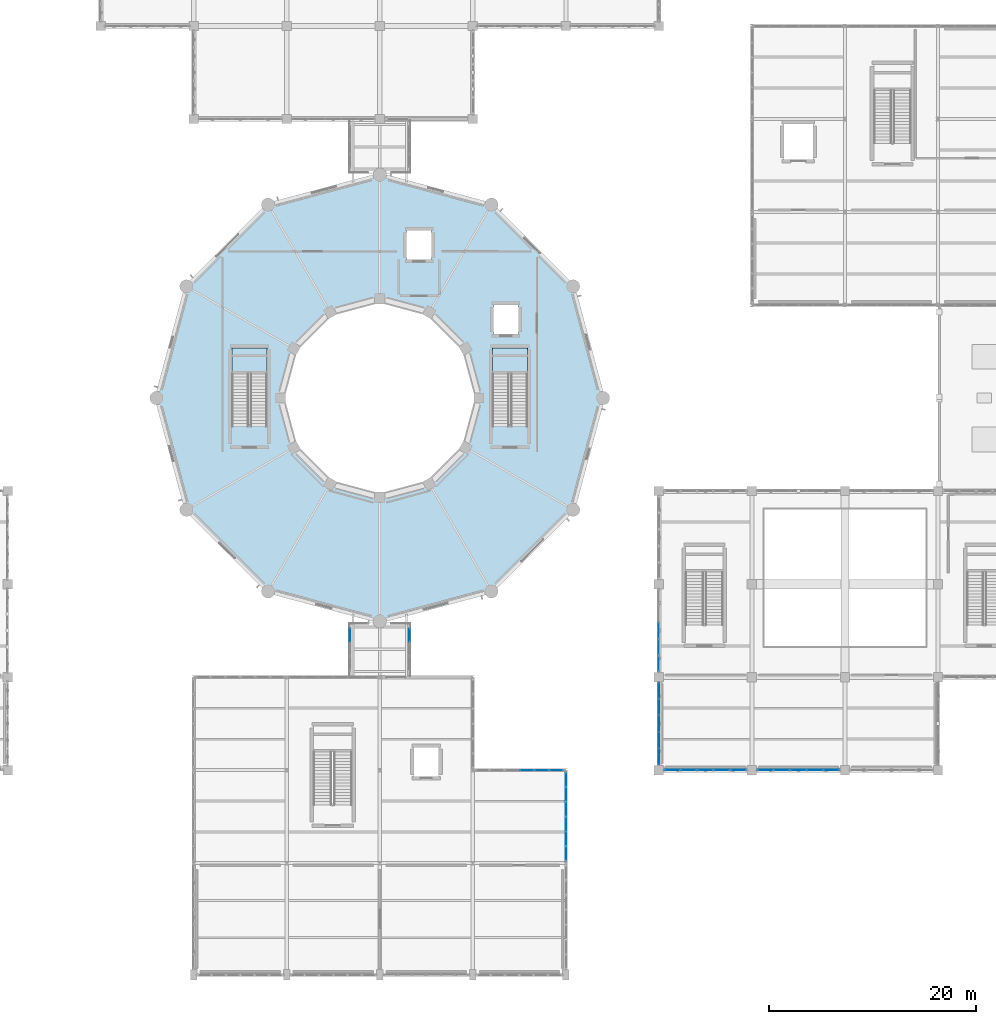
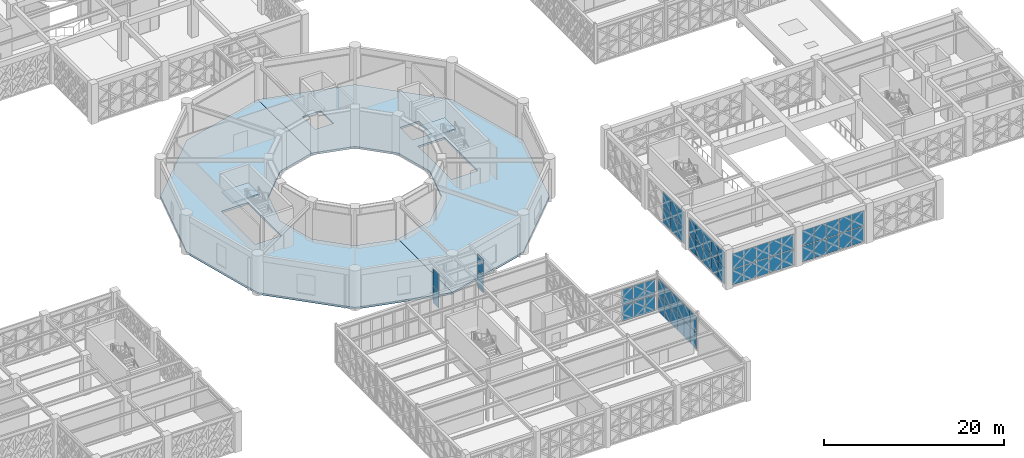
# One storey, part 122 of 155: 58 plates, 4 slabs, 10 elements without a shape of their own.
"""IFC4 building model written with IfcOpenShell, lengths in metres."""

from ifc_helpers import new_model, si_unit, direction, frame, origin, origin_2d, place, context, subcontext, project, spatial, polyline, rectangle, outline, extrude, material, layer, layer_set, type_object, element, aggregate, save


model = new_model("IFC4")

# Units and contexts
model_context = context("Model", 3, precision=1e-05, world=origin(), true_north=direction((0.0, 1.0)))
body_context = subcontext(model_context, "Body", "Model", "MODEL_VIEW")
ifc_project = project(units=[si_unit("LENGTHUNIT", "METRE"), si_unit("AREAUNIT", "SQUARE_METRE"), si_unit("VOLUMEUNIT", "CUBIC_METRE"), si_unit("PLANEANGLEUNIT", "RADIAN"), si_unit("MASSUNIT", "GRAM", prefix="KILO")], contexts=[model_context])

# Site, building, storey
site_placement = place(None, origin())
site = spatial("IfcSite", under=ifc_project, at=site_placement, CompositionType="ELEMENT")
building_placement = place(site_placement, origin())
building = spatial("IfcBuilding", under=site, at=building_placement, Name="Haizhuo Lancet Aquarium", CompositionType="ELEMENT")
storey_placement = place(building_placement, frame((0.0, 0.0, 10.800048828125)))
storey = spatial("IfcBuildingStorey", under=building, at=storey_placement, Name="L02", CompositionType="ELEMENT", Elevation=10.800048828125)

# Curtain wall, plates
ifc_material_1 = material(Name="Aluminium 6063-T6", Category="aluminium")
curtain_wall_type_1 = type_object("IfcCurtainWallType", Name="CWO-8010x4460", PredefinedType="NOTDEFINED", material=ifc_material_1)
curtain_wall_1_placement = place(storey_placement, origin())
curtain_wall_1 = element("IfcCurtainWall", 1, at=curtain_wall_1_placement, inside=storey, type_object=curtain_wall_type_1, Name="L02 curtain wall CW-V3-L02-065", PredefinedType="NOTDEFINED")
ifc_material_2 = material(Name="Laminated Low-E Glass", Category="glass")
ifc_layer_1 = layer(ifc_material_2, 0.028076171875)
ifc_layer_set_1 = layer_set([ifc_layer_1], Name="Laminated Low-E Glass")
plate_type_1 = type_object("IfcPlateType", Name="CW-PNL-1", PredefinedType="CURTAIN_PANEL", material=ifc_layer_set_1)
plate_1_placement = place(storey_placement, frame((27.0, -25.68505859375, 0.07568359375), z_axis=(0.0, 0.0, 1.0), x_axis=(0.0, 1.0, 0.0)))
plate_1 = element("IfcPlate", 2, at=plate_1_placement, type_object=plate_type_1, Name="CWO-80x44 panel 1.1", PredefinedType="CURTAIN_PANEL", context=body_context, shape_type="SweptSolid", body=[
    extrude(rectangle(XDim=1.489013671875, YDim=0.028076171875, at=origin_2d()), origin(), (0.0, 0.0, 1.0), 2.116943359375),
])
plate_2_placement = place(storey_placement, frame((27.0, -25.68505859375, 2.26708984375), z_axis=(0.0, 0.0, 1.0), x_axis=(0.0, 1.0, 0.0)))
plate_2 = element("IfcPlate", 3, at=plate_2_placement, type_object=plate_type_1, Name="CWO-80x44 panel 1.2", PredefinedType="CURTAIN_PANEL", context=body_context, shape_type="SweptSolid", body=[
    extrude(rectangle(XDim=1.489013671875, YDim=0.028076171875, at=origin_2d()), origin(), (0.0, 0.0, 1.0), 2.117919921875),
])
plate_3_placement = place(storey_placement, frame((27.0, -24.10205078125, 0.07568359375), z_axis=(0.0, 0.0, 1.0), x_axis=(0.0, 1.0, 0.0)))
plate_3 = element("IfcPlate", 4, at=plate_3_placement, type_object=plate_type_1, Name="CWO-80x44 panel 2.1", PredefinedType="CURTAIN_PANEL", context=body_context, shape_type="SweptSolid", body=[
    extrude(rectangle(XDim=1.527099609375, YDim=0.028076171875, at=origin_2d()), origin(), (0.0, 0.0, 1.0), 2.116943359375),
])
plate_4_placement = place(storey_placement, frame((27.0, -24.10205078125, 2.26708984375), z_axis=(0.0, 0.0, 1.0), x_axis=(0.0, 1.0, 0.0)))
plate_4 = element("IfcPlate", 5, at=plate_4_placement, type_object=plate_type_1, Name="CWO-80x44 panel 2.2", PredefinedType="CURTAIN_PANEL", context=body_context, shape_type="SweptSolid", body=[
    extrude(rectangle(XDim=1.527099609375, YDim=0.028076171875, at=origin_2d()), origin(), (0.0, 0.0, 1.0), 2.117919921875),
])
plate_5_placement = place(storey_placement, frame((27.0, -22.5, 0.07568359375), z_axis=(0.0, 0.0, 1.0), x_axis=(0.0, 1.0, 0.0)))
plate_5 = element("IfcPlate", 6, at=plate_5_placement, type_object=plate_type_1, Name="CWO-80x44 panel 3.1", PredefinedType="CURTAIN_PANEL", context=body_context, shape_type="SweptSolid", body=[
    extrude(rectangle(XDim=1.527099609375, YDim=0.028076171875, at=origin_2d()), origin(), (0.0, 0.0, 1.0), 2.116943359375),
])
plate_6_placement = place(storey_placement, frame((27.0, -22.5, 2.26708984375), z_axis=(0.0, 0.0, 1.0), x_axis=(0.0, 1.0, 0.0)))
plate_6 = element("IfcPlate", 7, at=plate_6_placement, type_object=plate_type_1, Name="CWO-80x44 panel 3.2", PredefinedType="CURTAIN_PANEL", context=body_context, shape_type="SweptSolid", body=[
    extrude(rectangle(XDim=1.527099609375, YDim=0.028076171875, at=origin_2d()), origin(), (0.0, 0.0, 1.0), 2.117919921875),
])
aggregate(curtain_wall_1, [plate_1, plate_2, plate_3, plate_4, plate_5, plate_6])

curtain_wall_type_2 = type_object("IfcCurtainWallType", Name="CWO-8610x4460", PredefinedType="NOTDEFINED", material=ifc_material_1)
curtain_wall_2_placement = place(storey_placement, origin())
curtain_wall_2 = element("IfcCurtainWall", 8, at=curtain_wall_2_placement, inside=storey, type_object=curtain_wall_type_2, Name="L02 curtain wall CW-V4-L02-105", PredefinedType="NOTDEFINED")
plate_7_placement = place(storey_placement, frame((14.217041015625, -36.0, 0.08056640625), z_axis=(0.0, 0.0, 1.0), x_axis=(1.0, 0.0, 0.0)))
plate_7 = element("IfcPlate", 9, at=plate_7_placement, type_object=plate_type_1, Name="CWO-86x44 panel 4.1", PredefinedType="CURTAIN_PANEL", context=body_context, shape_type="SweptSolid", body=[
    extrude(rectangle(XDim=1.35498046875, YDim=0.028076171875, at=origin_2d()), origin(), (0.0, 0.0, 1.0), 2.111083984375),
])
plate_8_placement = place(storey_placement, frame((14.217041015625, -36.0, 2.271484375), z_axis=(0.0, 0.0, 1.0), x_axis=(1.0, 0.0, 0.0)))
plate_8 = element("IfcPlate", 10, at=plate_8_placement, type_object=plate_type_1, Name="CWO-86x44 panel 4.2", PredefinedType="CURTAIN_PANEL", context=body_context, shape_type="SweptSolid", body=[
    extrude(rectangle(XDim=1.35498046875, YDim=0.028076171875, at=origin_2d()), origin(), (0.0, 0.0, 1.0), 2.111083984375),
])
plate_9_placement = place(storey_placement, frame((15.652099609375, -36.0, 0.08056640625), z_axis=(0.0, 0.0, 1.0), x_axis=(1.0, 0.0, 0.0)))
plate_9 = element("IfcPlate", 11, at=plate_9_placement, type_object=plate_type_1, Name="CWO-86x44 panel 5.1", PredefinedType="CURTAIN_PANEL", context=body_context, shape_type="SweptSolid", body=[
    extrude(rectangle(XDim=1.35498046875, YDim=0.028076171875, at=origin_2d()), origin(), (0.0, 0.0, 1.0), 2.111083984375),
])
plate_10_placement = place(storey_placement, frame((15.652099609375, -36.0, 2.271484375), z_axis=(0.0, 0.0, 1.0), x_axis=(1.0, 0.0, 0.0)))
plate_10 = element("IfcPlate", 12, at=plate_10_placement, type_object=plate_type_1, Name="CWO-86x44 panel 5.2", PredefinedType="CURTAIN_PANEL", context=body_context, shape_type="SweptSolid", body=[
    extrude(rectangle(XDim=1.35498046875, YDim=0.028076171875, at=origin_2d()), origin(), (0.0, 0.0, 1.0), 2.111083984375),
])
plate_11_placement = place(storey_placement, frame((17.068115234375, -36.0, 0.08056640625), z_axis=(0.0, 0.0, 1.0), x_axis=(1.0, 0.0, 0.0)))
plate_11 = element("IfcPlate", 13, at=plate_11_placement, type_object=plate_type_1, Name="CWO-86x44 panel 6.1", PredefinedType="CURTAIN_PANEL", context=body_context, shape_type="SweptSolid", body=[
    extrude(rectangle(XDim=1.31494140625, YDim=0.028076171875, at=origin_2d()), origin(), (0.0, 0.0, 1.0), 2.111083984375),
])
plate_12_placement = place(storey_placement, frame((17.068115234375, -36.0, 2.271484375), z_axis=(0.0, 0.0, 1.0), x_axis=(1.0, 0.0, 0.0)))
plate_12 = element("IfcPlate", 14, at=plate_12_placement, type_object=plate_type_1, Name="CWO-86x44 panel 6.2", PredefinedType="CURTAIN_PANEL", context=body_context, shape_type="SweptSolid", body=[
    extrude(rectangle(XDim=1.31494140625, YDim=0.028076171875, at=origin_2d()), origin(), (0.0, 0.0, 1.0), 2.111083984375),
])
aggregate(curtain_wall_2, [plate_7, plate_8, plate_9, plate_10, plate_11, plate_12])

curtain_wall_type_3 = type_object("IfcCurtainWallType", Name="CWO-8010x4410", PredefinedType="NOTDEFINED", material=ifc_material_1)
curtain_wall_3_placement = place(storey_placement, origin())
curtain_wall_3 = element("IfcCurtainWall", 15, at=curtain_wall_3_placement, inside=storey, type_object=curtain_wall_type_3, Name="L02 curtain wall CW-V3-L02-062", PredefinedType="NOTDEFINED")
ifc_layer_2 = layer(ifc_material_2, 0.033935546875)
ifc_layer_set_2 = layer_set([ifc_layer_2], Name="Laminated Low-E Glass")
plate_type_2 = type_object("IfcPlateType", Name="CW-PNL-2", PredefinedType="CURTAIN_PANEL", material=ifc_layer_set_2)
plate_13_placement = place(storey_placement, frame((43.68505859375, -36.0, 0.07421875), z_axis=(0.0, 0.0, 1.0), x_axis=(-1.0, 0.0, 0.0)))
plate_13 = element("IfcPlate", 16, at=plate_13_placement, type_object=plate_type_2, Name="CWO-80x44 panel 1.1", PredefinedType="CURTAIN_PANEL", context=body_context, shape_type="SweptSolid", body=[
    extrude(rectangle(XDim=1.489990234375, YDim=0.033935546875, at=origin_2d()), origin(), (0.0, 0.0, 1.0), 2.093017578125),
])
plate_14_placement = place(storey_placement, frame((43.68505859375, -36.0, 2.24267578125), z_axis=(0.0, 0.0, 1.0), x_axis=(-1.0, 0.0, 0.0)))
plate_14 = element("IfcPlate", 17, at=plate_14_placement, type_object=plate_type_2, Name="CWO-80x44 panel 1.2", PredefinedType="CURTAIN_PANEL", context=body_context, shape_type="SweptSolid", body=[
    extrude(rectangle(XDim=1.489990234375, YDim=0.033935546875, at=origin_2d()), origin(), (0.0, 0.0, 1.0), 2.093017578125),
])
plate_15_placement = place(storey_placement, frame((42.10205078125, -36.0, 0.07421875), z_axis=(0.0, 0.0, 1.0), x_axis=(-1.0, 0.0, 0.0)))
plate_15 = element("IfcPlate", 18, at=plate_15_placement, type_object=plate_type_2, Name="CWO-80x44 panel 2.1", PredefinedType="CURTAIN_PANEL", context=body_context, shape_type="SweptSolid", body=[
    extrude(rectangle(XDim=1.527099609375, YDim=0.033935546875, at=origin_2d()), origin(), (0.0, 0.0, 1.0), 2.093017578125),
])
plate_16_placement = place(storey_placement, frame((42.10205078125, -36.0, 2.24267578125), z_axis=(0.0, 0.0, 1.0), x_axis=(-1.0, 0.0, 0.0)))
plate_16 = element("IfcPlate", 19, at=plate_16_placement, type_object=plate_type_2, Name="CWO-80x44 panel 2.2", PredefinedType="CURTAIN_PANEL", context=body_context, shape_type="SweptSolid", body=[
    extrude(rectangle(XDim=1.527099609375, YDim=0.033935546875, at=origin_2d()), origin(), (0.0, 0.0, 1.0), 2.093017578125),
])
plate_17_placement = place(storey_placement, frame((40.5, -36.0, 0.07421875), z_axis=(0.0, 0.0, 1.0), x_axis=(-1.0, 0.0, 0.0)))
plate_17 = element("IfcPlate", 20, at=plate_17_placement, type_object=plate_type_2, Name="CWO-80x44 panel 3.1", PredefinedType="CURTAIN_PANEL", context=body_context, shape_type="SweptSolid", body=[
    extrude(rectangle(XDim=1.527099609375, YDim=0.033935546875, at=origin_2d()), origin(), (0.0, 0.0, 1.0), 2.093017578125),
])
plate_18_placement = place(storey_placement, frame((40.5, -36.0, 2.24267578125), z_axis=(0.0, 0.0, 1.0), x_axis=(-1.0, 0.0, 0.0)))
plate_18 = element("IfcPlate", 21, at=plate_18_placement, type_object=plate_type_2, Name="CWO-80x44 panel 3.2", PredefinedType="CURTAIN_PANEL", context=body_context, shape_type="SweptSolid", body=[
    extrude(rectangle(XDim=1.527099609375, YDim=0.033935546875, at=origin_2d()), origin(), (0.0, 0.0, 1.0), 2.093017578125),
])
plate_19_placement = place(storey_placement, frame((38.89794921875, -36.0, 0.07421875), z_axis=(0.0, 0.0, 1.0), x_axis=(-1.0, 0.0, 0.0)))
plate_19 = element("IfcPlate", 22, at=plate_19_placement, type_object=plate_type_2, Name="CWO-80x44 panel 4.1", PredefinedType="CURTAIN_PANEL", context=body_context, shape_type="SweptSolid", body=[
    extrude(rectangle(XDim=1.527099609375, YDim=0.033935546875, at=origin_2d()), origin(), (0.0, 0.0, 1.0), 2.093017578125),
])
plate_20_placement = place(storey_placement, frame((38.89794921875, -36.0, 2.24267578125), z_axis=(0.0, 0.0, 1.0), x_axis=(-1.0, 0.0, 0.0)))
plate_20 = element("IfcPlate", 23, at=plate_20_placement, type_object=plate_type_2, Name="CWO-80x44 panel 4.2", PredefinedType="CURTAIN_PANEL", context=body_context, shape_type="SweptSolid", body=[
    extrude(rectangle(XDim=1.527099609375, YDim=0.033935546875, at=origin_2d()), origin(), (0.0, 0.0, 1.0), 2.093017578125),
])
plate_21_placement = place(storey_placement, frame((37.31494140625, -36.0, 0.07421875), z_axis=(0.0, 0.0, 1.0), x_axis=(-1.0, 0.0, 0.0)))
plate_21 = element("IfcPlate", 24, at=plate_21_placement, type_object=plate_type_2, Name="CWO-80x44 panel 5.1", PredefinedType="CURTAIN_PANEL", context=body_context, shape_type="SweptSolid", body=[
    extrude(rectangle(XDim=1.489990234375, YDim=0.033935546875, at=origin_2d()), origin(), (0.0, 0.0, 1.0), 2.093017578125),
])
plate_22_placement = place(storey_placement, frame((37.31494140625, -36.0, 2.24267578125), z_axis=(0.0, 0.0, 1.0), x_axis=(-1.0, 0.0, 0.0)))
plate_22 = element("IfcPlate", 25, at=plate_22_placement, type_object=plate_type_2, Name="CWO-80x44 panel 5.2", PredefinedType="CURTAIN_PANEL", context=body_context, shape_type="SweptSolid", body=[
    extrude(rectangle(XDim=1.489990234375, YDim=0.033935546875, at=origin_2d()), origin(), (0.0, 0.0, 1.0), 2.093017578125),
])
aggregate(curtain_wall_3, [plate_13, plate_14, plate_15, plate_16, plate_17, plate_18, plate_19, plate_20, plate_21, plate_22])

curtain_wall_type_4 = type_object("IfcCurtainWallType", Name="CWO-8610x4560", PredefinedType="NOTDEFINED", material=ifc_material_1)
curtain_wall_4_placement = place(storey_placement, origin())
curtain_wall_4 = element("IfcCurtainWall", 26, at=curtain_wall_4_placement, inside=storey, type_object=curtain_wall_type_4, Name="L02 curtain wall CW-V4-L02-106", PredefinedType="NOTDEFINED")
plate_23_placement = place(storey_placement, frame((18.0, -36.928955078125, 0.0654296875), z_axis=(0.0, 0.0, 1.0), x_axis=(0.0, -1.0, 0.0)))
plate_23 = element("IfcPlate", 27, at=plate_23_placement, type_object=plate_type_2, Name="CWO-86x45 panel 1.1", PredefinedType="CURTAIN_PANEL", context=body_context, shape_type="SweptSolid", body=[
    extrude(rectangle(XDim=1.3369140625, YDim=0.033935546875, at=origin_2d()), origin(), (0.0, 0.0, 1.0), 2.18310546875),
])
plate_24_placement = place(storey_placement, frame((18.0, -36.928955078125, 2.3134765625), z_axis=(0.0, 0.0, 1.0), x_axis=(0.0, -1.0, 0.0)))
plate_24 = element("IfcPlate", 28, at=plate_24_placement, type_object=plate_type_2, Name="CWO-86x45 panel 1.2", PredefinedType="CURTAIN_PANEL", context=body_context, shape_type="SweptSolid", body=[
    extrude(rectangle(XDim=1.3369140625, YDim=0.033935546875, at=origin_2d()), origin(), (0.0, 0.0, 1.0), 2.18310546875),
])
plate_25_placement = place(storey_placement, frame((18.0, -38.346923828125, 0.0654296875), z_axis=(0.0, 0.0, 1.0), x_axis=(0.0, -1.0, 0.0)))
plate_25 = element("IfcPlate", 29, at=plate_25_placement, type_object=plate_type_2, Name="CWO-86x45 panel 2.1", PredefinedType="CURTAIN_PANEL", context=body_context, shape_type="SweptSolid", body=[
    extrude(rectangle(XDim=1.3701171875, YDim=0.033935546875, at=origin_2d()), origin(), (0.0, 0.0, 1.0), 2.18310546875),
])
plate_26_placement = place(storey_placement, frame((18.0, -38.346923828125, 2.3134765625), z_axis=(0.0, 0.0, 1.0), x_axis=(0.0, -1.0, 0.0)))
plate_26 = element("IfcPlate", 30, at=plate_26_placement, type_object=plate_type_2, Name="CWO-86x45 panel 2.2", PredefinedType="CURTAIN_PANEL", context=body_context, shape_type="SweptSolid", body=[
    extrude(rectangle(XDim=1.3701171875, YDim=0.033935546875, at=origin_2d()), origin(), (0.0, 0.0, 1.0), 2.18310546875),
])
plate_27_placement = place(storey_placement, frame((18.0, -39.781982421875, 0.0654296875), z_axis=(0.0, 0.0, 1.0), x_axis=(0.0, -1.0, 0.0)))
plate_27 = element("IfcPlate", 31, at=plate_27_placement, type_object=plate_type_2, Name="CWO-86x45 panel 3.1", PredefinedType="CURTAIN_PANEL", context=body_context, shape_type="SweptSolid", body=[
    extrude(rectangle(XDim=1.3701171875, YDim=0.033935546875, at=origin_2d()), origin(), (0.0, 0.0, 1.0), 2.18310546875),
])
plate_28_placement = place(storey_placement, frame((18.0, -39.781982421875, 2.3134765625), z_axis=(0.0, 0.0, 1.0), x_axis=(0.0, -1.0, 0.0)))
plate_28 = element("IfcPlate", 32, at=plate_28_placement, type_object=plate_type_2, Name="CWO-86x45 panel 3.2", PredefinedType="CURTAIN_PANEL", context=body_context, shape_type="SweptSolid", body=[
    extrude(rectangle(XDim=1.3701171875, YDim=0.033935546875, at=origin_2d()), origin(), (0.0, 0.0, 1.0), 2.18310546875),
])
plate_29_placement = place(storey_placement, frame((18.0, -41.218017578125, 0.0654296875), z_axis=(0.0, 0.0, 1.0), x_axis=(0.0, -1.0, 0.0)))
plate_29 = element("IfcPlate", 33, at=plate_29_placement, type_object=plate_type_2, Name="CWO-86x45 panel 4.1", PredefinedType="CURTAIN_PANEL", context=body_context, shape_type="SweptSolid", body=[
    extrude(rectangle(XDim=1.3701171875, YDim=0.033935546875, at=origin_2d()), origin(), (0.0, 0.0, 1.0), 2.18310546875),
])
plate_30_placement = place(storey_placement, frame((18.0, -41.218017578125, 2.3134765625), z_axis=(0.0, 0.0, 1.0), x_axis=(0.0, -1.0, 0.0)))
plate_30 = element("IfcPlate", 34, at=plate_30_placement, type_object=plate_type_2, Name="CWO-86x45 panel 4.2", PredefinedType="CURTAIN_PANEL", context=body_context, shape_type="SweptSolid", body=[
    extrude(rectangle(XDim=1.3701171875, YDim=0.033935546875, at=origin_2d()), origin(), (0.0, 0.0, 1.0), 2.18310546875),
])
plate_31_placement = place(storey_placement, frame((18.0, -42.653076171875, 0.0654296875), z_axis=(0.0, 0.0, 1.0), x_axis=(0.0, -1.0, 0.0)))
plate_31 = element("IfcPlate", 35, at=plate_31_placement, type_object=plate_type_2, Name="CWO-86x45 panel 5.1", PredefinedType="CURTAIN_PANEL", context=body_context, shape_type="SweptSolid", body=[
    extrude(rectangle(XDim=1.3701171875, YDim=0.033935546875, at=origin_2d()), origin(), (0.0, 0.0, 1.0), 2.18310546875),
])
plate_32_placement = place(storey_placement, frame((18.0, -42.653076171875, 2.3134765625), z_axis=(0.0, 0.0, 1.0), x_axis=(0.0, -1.0, 0.0)))
plate_32 = element("IfcPlate", 36, at=plate_32_placement, type_object=plate_type_2, Name="CWO-86x45 panel 5.2", PredefinedType="CURTAIN_PANEL", context=body_context, shape_type="SweptSolid", body=[
    extrude(rectangle(XDim=1.3701171875, YDim=0.033935546875, at=origin_2d()), origin(), (0.0, 0.0, 1.0), 2.18310546875),
])
plate_33_placement = place(storey_placement, frame((18.0, -44.071044921875, 0.0654296875), z_axis=(0.0, 0.0, 1.0), x_axis=(0.0, -1.0, 0.0)))
plate_33 = element("IfcPlate", 37, at=plate_33_placement, type_object=plate_type_2, Name="CWO-86x45 panel 6.1", PredefinedType="CURTAIN_PANEL", context=body_context, shape_type="SweptSolid", body=[
    extrude(rectangle(XDim=1.3369140625, YDim=0.033935546875, at=origin_2d()), origin(), (0.0, 0.0, 1.0), 2.18310546875),
])
plate_34_placement = place(storey_placement, frame((18.0, -44.071044921875, 2.3134765625), z_axis=(0.0, 0.0, 1.0), x_axis=(0.0, -1.0, 0.0)))
plate_34 = element("IfcPlate", 38, at=plate_34_placement, type_object=plate_type_2, Name="CWO-86x45 panel 6.2", PredefinedType="CURTAIN_PANEL", context=body_context, shape_type="SweptSolid", body=[
    extrude(rectangle(XDim=1.3369140625, YDim=0.033935546875, at=origin_2d()), origin(), (0.0, 0.0, 1.0), 2.18310546875),
])
aggregate(curtain_wall_4, [plate_23, plate_24, plate_25, plate_26, plate_27, plate_28, plate_29, plate_30, plate_31, plate_32, plate_33, plate_34])

curtain_wall_type_5 = type_object("IfcCurtainWallType", Name="CWO-4120x4750", PredefinedType="NOTDEFINED", material=ifc_material_1)
curtain_wall_5_placement = place(storey_placement, origin())
curtain_wall_5 = element("IfcCurtainWall", 39, at=curtain_wall_5_placement, inside=storey, type_object=curtain_wall_type_5, Name="L02 curtain wall CW-SB-04-W1", PredefinedType="NOTDEFINED")
plate_35_placement = place(storey_placement, frame((-2.8798828125, -22.943115234375, 0.0654296875), z_axis=(0.0, 0.0, 1.0), x_axis=(0.0, 1.0, 0.0)))
plate_35 = element("IfcPlate", 40, at=plate_35_placement, type_object=plate_type_2, Name="CWO-41x47 panel 3.1", PredefinedType="CURTAIN_PANEL", context=body_context, shape_type="SweptSolid", body=[
    extrude(rectangle(XDim=1.27587890625, YDim=0.033935546875, at=origin_2d()), origin(), (0.0, 0.0, 1.0), 2.277099609375),
])
plate_36_placement = place(storey_placement, frame((-2.8798828125, -22.943115234375, 2.4072265625), z_axis=(0.0, 0.0, 1.0), x_axis=(0.0, 1.0, 0.0)))
plate_36 = element("IfcPlate", 41, at=plate_36_placement, type_object=plate_type_2, Name="CWO-41x47 panel 3.2", PredefinedType="CURTAIN_PANEL", context=body_context, shape_type="SweptSolid", body=[
    extrude(rectangle(XDim=1.27587890625, YDim=0.033935546875, at=origin_2d()), origin(), (0.0, 0.0, 1.0), 2.277099609375),
])
aggregate(curtain_wall_5, [plate_35, plate_36])

curtain_wall_6_placement = place(storey_placement, origin())
curtain_wall_6 = element("IfcCurtainWall", 42, at=curtain_wall_6_placement, inside=storey, type_object=curtain_wall_type_3, Name="L02 curtain wall CW-V3-L02-063", PredefinedType="NOTDEFINED")
ifc_layer_3 = layer(ifc_material_2, 0.0419921875)
ifc_layer_set_3 = layer_set([ifc_layer_3], Name="Laminated Low-E Glass")
plate_type_3 = type_object("IfcPlateType", Name="CW-PNL-3", PredefinedType="CURTAIN_PANEL", material=ifc_layer_set_3)
plate_37_placement = place(storey_placement, frame((34.68408203125, -36.0, 0.07958984375), z_axis=(0.0, 0.0, 1.0), x_axis=(-1.0, 0.0, 0.0)))
plate_37 = element("IfcPlate", 43, at=plate_37_placement, type_object=plate_type_3, Name="CWO-80x44 panel 1.1", PredefinedType="CURTAIN_PANEL", context=body_context, shape_type="SweptSolid", body=[
    extrude(rectangle(XDim=1.48193359375, YDim=0.0419921875, at=origin_2d()), origin(), (0.0, 0.0, 1.0), 2.0849609375),
])
plate_38_placement = place(storey_placement, frame((34.68408203125, -36.0, 2.245361328125), z_axis=(0.0, 0.0, 1.0), x_axis=(-1.0, 0.0, 0.0)))
plate_38 = element("IfcPlate", 44, at=plate_38_placement, type_object=plate_type_3, Name="CWO-80x44 panel 1.2", PredefinedType="CURTAIN_PANEL", context=body_context, shape_type="SweptSolid", body=[
    extrude(rectangle(XDim=1.48193359375, YDim=0.0419921875, at=origin_2d()), origin(), (0.0, 0.0, 1.0), 2.0849609375),
])
plate_39_placement = place(storey_placement, frame((33.10205078125, -36.0, 0.07958984375), z_axis=(0.0, 0.0, 1.0), x_axis=(-1.0, 0.0, 0.0)))
plate_39 = element("IfcPlate", 45, at=plate_39_placement, type_object=plate_type_3, Name="CWO-80x44 panel 2.1", PredefinedType="CURTAIN_PANEL", context=body_context, shape_type="SweptSolid", body=[
    extrude(rectangle(XDim=1.52197265625, YDim=0.0419921875, at=origin_2d()), origin(), (0.0, 0.0, 1.0), 2.0849609375),
])
plate_40_placement = place(storey_placement, frame((33.10205078125, -36.0, 2.245361328125), z_axis=(0.0, 0.0, 1.0), x_axis=(-1.0, 0.0, 0.0)))
plate_40 = element("IfcPlate", 46, at=plate_40_placement, type_object=plate_type_3, Name="CWO-80x44 panel 2.2", PredefinedType="CURTAIN_PANEL", context=body_context, shape_type="SweptSolid", body=[
    extrude(rectangle(XDim=1.52197265625, YDim=0.0419921875, at=origin_2d()), origin(), (0.0, 0.0, 1.0), 2.0849609375),
])
plate_41_placement = place(storey_placement, frame((31.5, -36.0, 0.07958984375), z_axis=(0.0, 0.0, 1.0), x_axis=(-1.0, 0.0, 0.0)))
plate_41 = element("IfcPlate", 47, at=plate_41_placement, type_object=plate_type_3, Name="CWO-80x44 panel 3.1", PredefinedType="CURTAIN_PANEL", context=body_context, shape_type="SweptSolid", body=[
    extrude(rectangle(XDim=1.52197265625, YDim=0.0419921875, at=origin_2d()), origin(), (0.0, 0.0, 1.0), 2.0849609375),
])
plate_42_placement = place(storey_placement, frame((31.5, -36.0, 2.245361328125), z_axis=(0.0, 0.0, 1.0), x_axis=(-1.0, 0.0, 0.0)))
plate_42 = element("IfcPlate", 48, at=plate_42_placement, type_object=plate_type_3, Name="CWO-80x44 panel 3.2", PredefinedType="CURTAIN_PANEL", context=body_context, shape_type="SweptSolid", body=[
    extrude(rectangle(XDim=1.52197265625, YDim=0.0419921875, at=origin_2d()), origin(), (0.0, 0.0, 1.0), 2.0849609375),
])
plate_43_placement = place(storey_placement, frame((29.89794921875, -36.0, 0.07958984375), z_axis=(0.0, 0.0, 1.0), x_axis=(-1.0, 0.0, 0.0)))
plate_43 = element("IfcPlate", 49, at=plate_43_placement, type_object=plate_type_3, Name="CWO-80x44 panel 4.1", PredefinedType="CURTAIN_PANEL", context=body_context, shape_type="SweptSolid", body=[
    extrude(rectangle(XDim=1.52197265625, YDim=0.0419921875, at=origin_2d()), origin(), (0.0, 0.0, 1.0), 2.0849609375),
])
plate_44_placement = place(storey_placement, frame((29.89794921875, -36.0, 2.245361328125), z_axis=(0.0, 0.0, 1.0), x_axis=(-1.0, 0.0, 0.0)))
plate_44 = element("IfcPlate", 50, at=plate_44_placement, type_object=plate_type_3, Name="CWO-80x44 panel 4.2", PredefinedType="CURTAIN_PANEL", context=body_context, shape_type="SweptSolid", body=[
    extrude(rectangle(XDim=1.52197265625, YDim=0.0419921875, at=origin_2d()), origin(), (0.0, 0.0, 1.0), 2.0849609375),
])
plate_45_placement = place(storey_placement, frame((28.31591796875, -36.0, 0.07958984375), z_axis=(0.0, 0.0, 1.0), x_axis=(-1.0, 0.0, 0.0)))
plate_45 = element("IfcPlate", 51, at=plate_45_placement, type_object=plate_type_3, Name="CWO-80x44 panel 5.1", PredefinedType="CURTAIN_PANEL", context=body_context, shape_type="SweptSolid", body=[
    extrude(rectangle(XDim=1.48193359375, YDim=0.0419921875, at=origin_2d()), origin(), (0.0, 0.0, 1.0), 2.0849609375),
])
plate_46_placement = place(storey_placement, frame((28.31591796875, -36.0, 2.245361328125), z_axis=(0.0, 0.0, 1.0), x_axis=(-1.0, 0.0, 0.0)))
plate_46 = element("IfcPlate", 52, at=plate_46_placement, type_object=plate_type_3, Name="CWO-80x44 panel 5.2", PredefinedType="CURTAIN_PANEL", context=body_context, shape_type="SweptSolid", body=[
    extrude(rectangle(XDim=1.48193359375, YDim=0.0419921875, at=origin_2d()), origin(), (0.0, 0.0, 1.0), 2.0849609375),
])
aggregate(curtain_wall_6, [plate_37, plate_38, plate_39, plate_40, plate_41, plate_42, plate_43, plate_44, plate_45, plate_46])

curtain_wall_7_placement = place(storey_placement, origin())
curtain_wall_7 = element("IfcCurtainWall", 53, at=curtain_wall_7_placement, inside=storey, type_object=curtain_wall_type_5, Name="L02 curtain wall CW-SB-04-E1", PredefinedType="NOTDEFINED")
plate_47_placement = place(storey_placement, frame((2.8798828125, -22.945068359375, 0.07470703125), z_axis=(0.0, 0.0, 1.0), x_axis=(0.0, -1.0, 0.0)))
plate_47 = element("IfcPlate", 54, at=plate_47_placement, type_object=plate_type_3, Name="CWO-41x47 panel 1.1", PredefinedType="CURTAIN_PANEL", context=body_context, shape_type="SweptSolid", body=[
    extrude(rectangle(XDim=1.260986328125, YDim=0.0419921875, at=origin_2d()), origin(), (0.0, 0.0, 1.0), 2.262939453125),
])
plate_48_placement = place(storey_placement, frame((2.8798828125, -22.945068359375, 2.41259765625), z_axis=(0.0, 0.0, 1.0), x_axis=(0.0, -1.0, 0.0)))
plate_48 = element("IfcPlate", 55, at=plate_48_placement, type_object=plate_type_3, Name="CWO-41x47 panel 1.2", PredefinedType="CURTAIN_PANEL", context=body_context, shape_type="SweptSolid", body=[
    extrude(rectangle(XDim=1.260986328125, YDim=0.0419921875, at=origin_2d()), origin(), (0.0, 0.0, 1.0), 2.262939453125),
])
aggregate(curtain_wall_7, [plate_47, plate_48])

curtain_wall_8_placement = place(storey_placement, origin())
curtain_wall_8 = element("IfcCurtainWall", 56, at=curtain_wall_8_placement, inside=storey, type_object=curtain_wall_type_1, Name="L02 curtain wall CW-V3-L02-064", PredefinedType="NOTDEFINED")
ifc_layer_4 = layer(ifc_material_2, 0.052001953125)
ifc_layer_set_4 = layer_set([ifc_layer_4], Name="Laminated Low-E Glass")
plate_type_4 = type_object("IfcPlateType", Name="CW-PNL-4", PredefinedType="CURTAIN_PANEL", material=ifc_layer_set_4)
plate_49_placement = place(storey_placement, frame((27.0, -34.68798828125, 0.06494140625), z_axis=(0.0, 0.0, 1.0), x_axis=(0.0, 1.0, 0.0)))
plate_49 = element("IfcPlate", 57, at=plate_49_placement, type_object=plate_type_4, Name="CWO-80x44 panel 1.1", PredefinedType="CURTAIN_PANEL", context=body_context, shape_type="SweptSolid", body=[
    extrude(rectangle(XDim=1.5048828125, YDim=0.052001953125, at=origin_2d()), origin(), (0.0, 0.0, 1.0), 2.132080078125),
])
plate_50_placement = place(storey_placement, frame((27.0, -34.68798828125, 2.2626953125), z_axis=(0.0, 0.0, 1.0), x_axis=(0.0, 1.0, 0.0)))
plate_50 = element("IfcPlate", 58, at=plate_50_placement, type_object=plate_type_4, Name="CWO-80x44 panel 1.2", PredefinedType="CURTAIN_PANEL", context=body_context, shape_type="SweptSolid", body=[
    extrude(rectangle(XDim=1.5048828125, YDim=0.052001953125, at=origin_2d()), origin(), (0.0, 0.0, 1.0), 2.132080078125),
])
plate_51_placement = place(storey_placement, frame((27.0, -33.10205078125, 0.06494140625), z_axis=(0.0, 0.0, 1.0), x_axis=(0.0, 1.0, 0.0)))
plate_51 = element("IfcPlate", 59, at=plate_51_placement, type_object=plate_type_4, Name="CWO-80x44 panel 2.1", PredefinedType="CURTAIN_PANEL", context=body_context, shape_type="SweptSolid", body=[
    extrude(rectangle(XDim=1.537109375, YDim=0.052001953125, at=origin_2d()), origin(), (0.0, 0.0, 1.0), 2.132080078125),
])
plate_52_placement = place(storey_placement, frame((27.0, -33.10205078125, 2.2626953125), z_axis=(0.0, 0.0, 1.0), x_axis=(0.0, 1.0, 0.0)))
plate_52 = element("IfcPlate", 60, at=plate_52_placement, type_object=plate_type_4, Name="CWO-80x44 panel 2.2", PredefinedType="CURTAIN_PANEL", context=body_context, shape_type="SweptSolid", body=[
    extrude(rectangle(XDim=1.537109375, YDim=0.052001953125, at=origin_2d()), origin(), (0.0, 0.0, 1.0), 2.132080078125),
])
plate_53_placement = place(storey_placement, frame((27.0, -31.5, 0.06494140625), z_axis=(0.0, 0.0, 1.0), x_axis=(0.0, 1.0, 0.0)))
plate_53 = element("IfcPlate", 61, at=plate_53_placement, type_object=plate_type_4, Name="CWO-80x44 panel 3.1", PredefinedType="CURTAIN_PANEL", context=body_context, shape_type="SweptSolid", body=[
    extrude(rectangle(XDim=1.537109375, YDim=0.052001953125, at=origin_2d()), origin(), (0.0, 0.0, 1.0), 2.132080078125),
])
plate_54_placement = place(storey_placement, frame((27.0, -31.5, 2.2626953125), z_axis=(0.0, 0.0, 1.0), x_axis=(0.0, 1.0, 0.0)))
plate_54 = element("IfcPlate", 62, at=plate_54_placement, type_object=plate_type_4, Name="CWO-80x44 panel 3.2", PredefinedType="CURTAIN_PANEL", context=body_context, shape_type="SweptSolid", body=[
    extrude(rectangle(XDim=1.537109375, YDim=0.052001953125, at=origin_2d()), origin(), (0.0, 0.0, 1.0), 2.132080078125),
])
plate_55_placement = place(storey_placement, frame((27.0, -29.89794921875, 0.06494140625), z_axis=(0.0, 0.0, 1.0), x_axis=(0.0, 1.0, 0.0)))
plate_55 = element("IfcPlate", 63, at=plate_55_placement, type_object=plate_type_4, Name="CWO-80x44 panel 4.1", PredefinedType="CURTAIN_PANEL", context=body_context, shape_type="SweptSolid", body=[
    extrude(rectangle(XDim=1.537109375, YDim=0.052001953125, at=origin_2d()), origin(), (0.0, 0.0, 1.0), 2.132080078125),
])
plate_56_placement = place(storey_placement, frame((27.0, -29.89794921875, 2.2626953125), z_axis=(0.0, 0.0, 1.0), x_axis=(0.0, 1.0, 0.0)))
plate_56 = element("IfcPlate", 64, at=plate_56_placement, type_object=plate_type_4, Name="CWO-80x44 panel 4.2", PredefinedType="CURTAIN_PANEL", context=body_context, shape_type="SweptSolid", body=[
    extrude(rectangle(XDim=1.537109375, YDim=0.052001953125, at=origin_2d()), origin(), (0.0, 0.0, 1.0), 2.132080078125),
])
plate_57_placement = place(storey_placement, frame((27.0, -28.31201171875, 0.06494140625), z_axis=(0.0, 0.0, 1.0), x_axis=(0.0, 1.0, 0.0)))
plate_57 = element("IfcPlate", 65, at=plate_57_placement, type_object=plate_type_4, Name="CWO-80x44 panel 5.1", PredefinedType="CURTAIN_PANEL", context=body_context, shape_type="SweptSolid", body=[
    extrude(rectangle(XDim=1.5048828125, YDim=0.052001953125, at=origin_2d()), origin(), (0.0, 0.0, 1.0), 2.132080078125),
])
plate_58_placement = place(storey_placement, frame((27.0, -28.31201171875, 2.2626953125), z_axis=(0.0, 0.0, 1.0), x_axis=(0.0, 1.0, 0.0)))
plate_58 = element("IfcPlate", 66, at=plate_58_placement, type_object=plate_type_4, Name="CWO-80x44 panel 5.2", PredefinedType="CURTAIN_PANEL", context=body_context, shape_type="SweptSolid", body=[
    extrude(rectangle(XDim=1.5048828125, YDim=0.052001953125, at=origin_2d()), origin(), (0.0, 0.0, 1.0), 2.132080078125),
])
aggregate(curtain_wall_8, [plate_49, plate_50, plate_51, plate_52, plate_53, plate_54, plate_55, plate_56, plate_57, plate_58])

# Stair, slab
ifc_material_3 = material(Name="Concrete C40/50", Category="concrete")
stair_type = type_object("IfcStairType", Name="STR-HT-1600-54", PredefinedType="HALF_TURN_STAIR", material=ifc_material_3)
stair_1_placement = place(storey_placement, origin())
stair_1 = element("IfcStair", 67, at=stair_1_placement, inside=storey, type_object=stair_type, Name="L02 enclosed exit stair ST-01", PredefinedType="HALF_TURN_STAIR")
ifc_layer_5 = layer(ifc_material_3, 0.199951171875)
ifc_layer_set_5 = layer_set([ifc_layer_5], Name="Concrete C40/50")
slab_type_1 = type_object("IfcSlabType", Name="SLB-LND-1600", PredefinedType="LANDING", material=ifc_layer_set_5)
slab_1_placement = place(storey_placement, frame((0.0, 0.0, 2.5)))
slab_1 = element("IfcSlab", 68, at=slab_1_placement, type_object=slab_type_1, Name="ST-15 landing 1", PredefinedType="LANDING", context=body_context, shape_type="SweptSolid", body=[
    extrude(outline(polyline([(-10.89990234375, 2.35009765625), (-10.89990234375, 4.85009765625), (-14.300048828125, 4.85009765625), (-14.300048828125, 2.35009765625), (-10.89990234375, 2.35009765625)])), origin(), (0.0, 0.0, 1.0), 0.199951171875),
])
aggregate(stair_1, [slab_1])

stair_2_placement = place(storey_placement, origin())
stair_2 = element("IfcStair", 69, at=stair_2_placement, inside=storey, type_object=stair_type, Name="L02 enclosed exit stair ST-02", PredefinedType="HALF_TURN_STAIR")
slab_2_placement = place(storey_placement, frame((0.0, 0.0, 2.5)))
slab_2 = element("IfcSlab", 70, at=slab_2_placement, type_object=slab_type_1, Name="ST-15 landing 1", PredefinedType="LANDING", context=body_context, shape_type="SweptSolid", body=[
    extrude(outline(polyline([(14.300048828125, 2.35009765625), (14.300048828125, 4.85009765625), (10.89990234375, 4.85009765625), (10.89990234375, 2.35009765625), (14.300048828125, 2.35009765625)])), origin(), (0.0, 0.0, 1.0), 0.199951171875),
])
aggregate(stair_2, [slab_2])

# Slabs
ifc_layer_6 = layer(ifc_material_3, 0.260009765625)
ifc_layer_set_6 = layer_set([ifc_layer_6], Name="Concrete C40/50")
slab_type_2 = type_object("IfcSlabType", Name="SLB-UPPER-260", PredefinedType="FLOOR", material=ifc_layer_set_6)
slab_3_placement = place(storey_placement, frame((0.0, 0.0, -0.260009765625)))
element("IfcSlab", 71, at=slab_3_placement, inside=storey, type_object=slab_type_2, Name="L02 structural slab SL-L02-V1-01", PredefinedType="FLOOR", context=body_context, shape_type="SweptSolid", body=[
    extrude(outline(polyline([(-18.7060546875, -10.800048828125), (-10.800048828125, -18.7060546875), (0.0, -21.60009765625), (0.0, -9.60009765625), (-4.800048828125, -8.31396484375), (-8.31396484375, -4.800048828125), (-9.60009765625, 0.0), (-8.31396484375, 4.800048828125), (-4.800048828125, 8.31396484375), (0.0, 9.60009765625), (0.0, 21.60009765625), (-10.800048828125, 18.7060546875), (-18.7060546875, 10.800048828125), (-21.60009765625, 0.0), (-18.7060546875, -10.800048828125)]), holes=[polyline([(-10.89990234375, 4.85009765625), (-14.300048828125, 4.85009765625), (-14.300048828125, -2.570068359375), (-10.89990234375, -2.570068359375), (-10.89990234375, 4.85009765625)])]), origin(), (0.0, 0.0, 1.0), 0.260009765625),
])
slab_4_placement = place(storey_placement, frame((0.0, 0.0, -0.260009765625)))
element("IfcSlab", 72, at=slab_4_placement, inside=storey, type_object=slab_type_2, Name="L02 structural slab SL-L02-V1-02", PredefinedType="FLOOR", context=body_context, shape_type="SweptSolid", body=[
    extrude(outline(polyline([(0.0, 21.60009765625), (0.0, 9.60009765625), (4.800048828125, 8.31396484375), (8.31396484375, 4.800048828125), (9.60009765625, 0.0), (8.31396484375, -4.800048828125), (4.800048828125, -8.31396484375), (0.0, -9.60009765625), (0.0, -21.60009765625), (10.800048828125, -18.7060546875), (18.7060546875, -10.800048828125), (21.60009765625, 0.0), (18.7060546875, 10.800048828125), (10.800048828125, 18.7060546875), (0.0, 21.60009765625)]), holes=[polyline([(14.300048828125, -2.570068359375), (14.300048828125, 4.85009765625), (10.89990234375, 4.85009765625), (10.89990234375, -2.570068359375), (14.300048828125, -2.570068359375)]), polyline([(5.0, 13.39990234375), (5.0, 16.199951171875), (2.60009765625, 16.199951171875), (2.60009765625, 13.39990234375), (5.0, 13.39990234375)]), polyline([(13.39990234375, 9.0), (11.0, 9.0), (11.0, 6.199951171875), (13.39990234375, 6.199951171875), (13.39990234375, 9.0)])]), origin(), (0.0, 0.0, 1.0), 0.260009765625),
])

save(model, "model.ifc")
